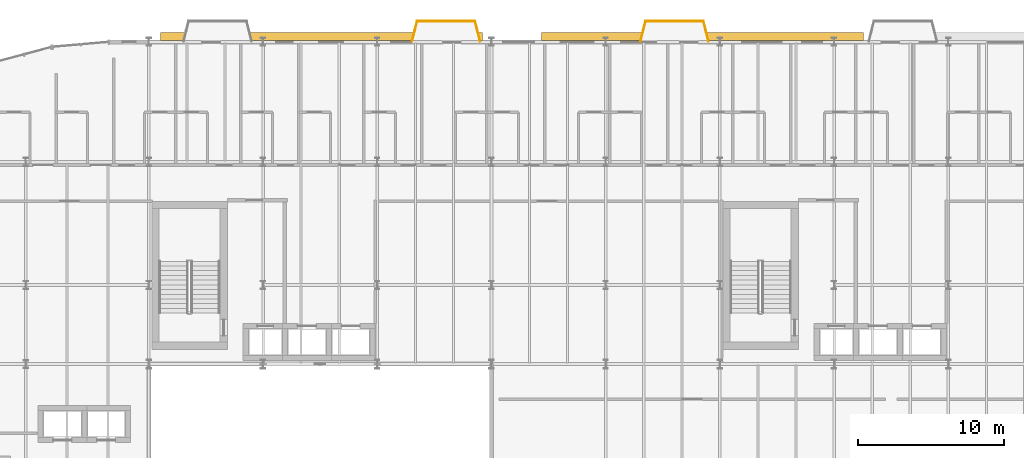
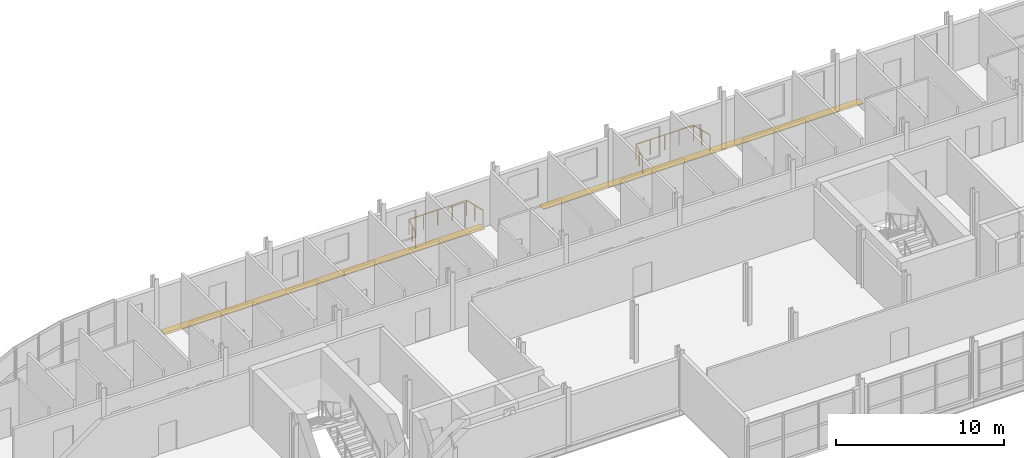
# One storey, part 43 of 45: 6 railings, 2 shading devices.
"""IFC4 building model written with IfcOpenShell, lengths in metres."""

from ifc_helpers import new_model, si_unit, direction, frame, origin, origin_2d, place, context, subcontext, project, spatial, rectangle, circle, extrude, material, layer, layer_set, type_object, element, save


model = new_model("IFC4")

# Units and contexts
model_context = context("Model", 3, precision=1e-05, world=origin(), true_north=direction((0.0, 1.0)))
body_context = subcontext(model_context, "Body", "Model", "MODEL_VIEW")
ifc_project = project(units=[si_unit("LENGTHUNIT", "METRE"), si_unit("AREAUNIT", "SQUARE_METRE"), si_unit("VOLUMEUNIT", "CUBIC_METRE"), si_unit("PLANEANGLEUNIT", "RADIAN"), si_unit("MASSUNIT", "GRAM", prefix="KILO")], contexts=[model_context])

# Site, building, storey
site_placement = place(None, origin())
site = spatial("IfcSite", under=ifc_project, at=site_placement, CompositionType="ELEMENT")
building_placement = place(site_placement, origin())
building = spatial("IfcBuilding", under=site, at=building_placement, Name="Sefraquen Railside Congress Hotel", CompositionType="ELEMENT")
storey_placement = place(building_placement, frame((0.0, 0.0, 20.39990234375)))
storey = spatial("IfcBuildingStorey", under=building, at=storey_placement, Name="L04", CompositionType="ELEMENT", Elevation=20.39990234375)

# Railings
ifc_material_1 = material(Name="Patinated wrought architectural bronze", Category="metal")
railing_type = type_object("IfcRailingType", Name="TRL-BAL-110", PredefinedType="BALUSTRADE", material=ifc_material_1)
railing_1_placement = place(storey_placement, frame((43.179931640625, 118.050048828125, 0.0)))
element("IfcRailing", 1, at=railing_1_placement, inside=storey, type_object=railing_type, Name="Guest balcony Art Nouveau balustrade L04-02", PredefinedType="BALUSTRADE", context=body_context, shape_type="SweptSolid", body=[
    extrude(circle(Radius=0.02392578125, at=origin_2d()), frame((0.0, 0.0, 1.09619140625), z_axis=(0.240948040829, 0.970538016577, 0.0), x_axis=(-0.970538016577, 0.240948040829, 0.0)), (0.0, 0.0, 1.0), 1.411376953125),
    extrude(circle(Radius=0.02099609375, at=origin_2d()), origin(), (0.0, 0.0, 1.0), 1.072021484375),
    extrude(circle(Radius=0.02099609375, at=origin_2d()), frame((0.169921875, 0.68505859375, 0.0)), (0.0, 0.0, 1.0), 1.072021484375),
    extrude(circle(Radius=0.02099609375, at=origin_2d()), frame((0.340087890625, 1.369873046875, 0.0)), (0.0, 0.0, 1.0), 1.072021484375),
])
railing_2_placement = place(storey_placement, frame((43.52001953125, 119.419921875, 0.0)))
element("IfcRailing", 2, at=railing_2_placement, inside=storey, type_object=railing_type, Name="Guest balcony Art Nouveau balustrade L04-02", PredefinedType="BALUSTRADE", context=body_context, shape_type="SweptSolid", body=[
    extrude(circle(Radius=0.02392578125, at=origin_2d()), frame((0.0, 0.0, 1.09619140625), z_axis=(1.0, 0.0, 0.0), x_axis=(0.0, 1.0, 0.0)), (0.0, 0.0, 1.0), 3.9599609375),
    extrude(circle(Radius=0.02099609375, at=origin_2d()), origin(), (0.0, 0.0, 1.0), 1.072021484375),
    extrude(circle(Radius=0.02099609375, at=origin_2d()), frame((0.989990234375, 0.0, 0.0)), (0.0, 0.0, 1.0), 1.072021484375),
    extrude(circle(Radius=0.02099609375, at=origin_2d()), frame((1.97998046875, 0.0, 0.0)), (0.0, 0.0, 1.0), 1.072021484375),
    extrude(circle(Radius=0.02099609375, at=origin_2d()), frame((2.969970703125, 0.0, 0.0)), (0.0, 0.0, 1.0), 1.072021484375),
    extrude(circle(Radius=0.02099609375, at=origin_2d()), frame((3.9599609375, 0.0, 0.0)), (0.0, 0.0, 1.0), 1.072021484375),
])
railing_3_placement = place(storey_placement, frame((47.47998046875, 119.419921875, 0.0)))
element("IfcRailing", 3, at=railing_3_placement, inside=storey, type_object=railing_type, Name="Guest balcony Art Nouveau balustrade L04-02", PredefinedType="BALUSTRADE", context=body_context, shape_type="SweptSolid", body=[
    extrude(circle(Radius=0.02392578125, at=origin_2d()), frame((0.0, 0.0, 1.09619140625), z_axis=(0.240948040829, -0.970538016577, 0.0), x_axis=(0.970538016577, 0.240948040829, 0.0)), (0.0, 0.0, 1.0), 1.411376953125),
    extrude(circle(Radius=0.02099609375, at=origin_2d()), origin(), (0.0, 0.0, 1.0), 1.072021484375),
    extrude(circle(Radius=0.02099609375, at=origin_2d()), frame((0.169921875, -0.68505859375, 0.0)), (0.0, 0.0, 1.0), 1.072021484375),
    extrude(circle(Radius=0.02099609375, at=origin_2d()), frame((0.340087890625, -1.369873046875, 0.0)), (0.0, 0.0, 1.0), 1.072021484375),
])
railing_4_placement = place(storey_placement, frame((58.780029296875, 118.050048828125, 0.0)))
element("IfcRailing", 4, at=railing_4_placement, inside=storey, type_object=railing_type, Name="Guest balcony Art Nouveau balustrade L04-03", PredefinedType="BALUSTRADE", context=body_context, shape_type="SweptSolid", body=[
    extrude(circle(Radius=0.02392578125, at=origin_2d()), frame((0.0, 0.0, 1.09619140625), z_axis=(0.240948040829, 0.970538016577, 0.0), x_axis=(-0.970538016577, 0.240948040829, 0.0)), (0.0, 0.0, 1.0), 1.411376953125),
    extrude(circle(Radius=0.02099609375, at=origin_2d()), origin(), (0.0, 0.0, 1.0), 1.072021484375),
    extrude(circle(Radius=0.02099609375, at=origin_2d()), frame((0.169921875, 0.68505859375, 0.0)), (0.0, 0.0, 1.0), 1.072021484375),
    extrude(circle(Radius=0.02099609375, at=origin_2d()), frame((0.340087890625, 1.369873046875, 0.0)), (0.0, 0.0, 1.0), 1.072021484375),
])
railing_5_placement = place(storey_placement, frame((59.1201171875, 119.419921875, 0.0)))
element("IfcRailing", 5, at=railing_5_placement, inside=storey, type_object=railing_type, Name="Guest balcony Art Nouveau balustrade L04-03", PredefinedType="BALUSTRADE", context=body_context, shape_type="SweptSolid", body=[
    extrude(circle(Radius=0.02392578125, at=origin_2d()), frame((0.0, 0.0, 1.09619140625), z_axis=(1.0, 0.0, 0.0), x_axis=(0.0, 1.0, 0.0)), (0.0, 0.0, 1.0), 3.9599609375),
    extrude(circle(Radius=0.02099609375, at=origin_2d()), origin(), (0.0, 0.0, 1.0), 1.072021484375),
    extrude(circle(Radius=0.02099609375, at=origin_2d()), frame((0.989990234375, 0.0, 0.0)), (0.0, 0.0, 1.0), 1.072021484375),
    extrude(circle(Radius=0.02099609375, at=origin_2d()), frame((1.97998046875, 0.0, 0.0)), (0.0, 0.0, 1.0), 1.072021484375),
    extrude(circle(Radius=0.02099609375, at=origin_2d()), frame((2.969970703125, 0.0, 0.0)), (0.0, 0.0, 1.0), 1.072021484375),
    extrude(circle(Radius=0.02099609375, at=origin_2d()), frame((3.9599609375, 0.0, 0.0)), (0.0, 0.0, 1.0), 1.072021484375),
])
railing_6_placement = place(storey_placement, frame((63.080078125, 119.419921875, 0.0)))
element("IfcRailing", 6, at=railing_6_placement, inside=storey, type_object=railing_type, Name="Guest balcony Art Nouveau balustrade L04-03", PredefinedType="BALUSTRADE", context=body_context, shape_type="SweptSolid", body=[
    extrude(circle(Radius=0.02392578125, at=origin_2d()), frame((0.0, 0.0, 1.09619140625), z_axis=(0.240785102022, -0.970578453627, 0.0), x_axis=(0.970578453627, 0.240785102022, 0.0)), (0.0, 0.0, 1.0), 1.411376953125),
    extrude(circle(Radius=0.02099609375, at=origin_2d()), origin(), (0.0, 0.0, 1.0), 1.072021484375),
    extrude(circle(Radius=0.02099609375, at=origin_2d()), frame((0.169921875, -0.68505859375, 0.0)), (0.0, 0.0, 1.0), 1.072021484375),
    extrude(circle(Radius=0.02099609375, at=origin_2d()), frame((0.33984375, -1.369873046875, 0.0)), (0.0, 0.0, 1.0), 1.072021484375),
])

# Shading devices
ifc_material_2 = material(Name="Patinated architectural bronze", Category="metal")
ifc_layer = layer(ifc_material_2, 0.06005859375)
ifc_layer_set = layer_set([ifc_layer], Name="Patinated architectural bronze")
shading_device_type = type_object("IfcShadingDeviceType", Name="TSH-BS-01", PredefinedType="USERDEFINED", material=ifc_layer_set)
for number, where, z_axis, x_axis, name in (
    (7, (37.0, 118.3798828125, -0.3798828125), (0.0, 0.0, 1.0), (1.0, 0.0, 0.0), "Hotel North Boulevard window sunshade L04-1"),
    (8, (63.0, 118.3798828125, -0.3798828125), (0.0, 0.0, 1.0), (1.0, 0.0, 0.0), "Hotel North Boulevard window sunshade L04-2"),
):
    element("IfcShadingDevice", number, at=place(storey_placement, frame(where, z_axis=z_axis, x_axis=x_axis)), inside=storey, type_object=shading_device_type, Name=name, ObjectType="BRISE SOLEIL", PredefinedType="USERDEFINED", context=body_context, shape_type="SweptSolid", body=[
        extrude(rectangle(XDim=22.0, YDim=0.550048828125, at=origin_2d()), origin(), (0.0, 0.0, 1.0), 0.06005859375),
    ])

save(model, "model.ifc")
